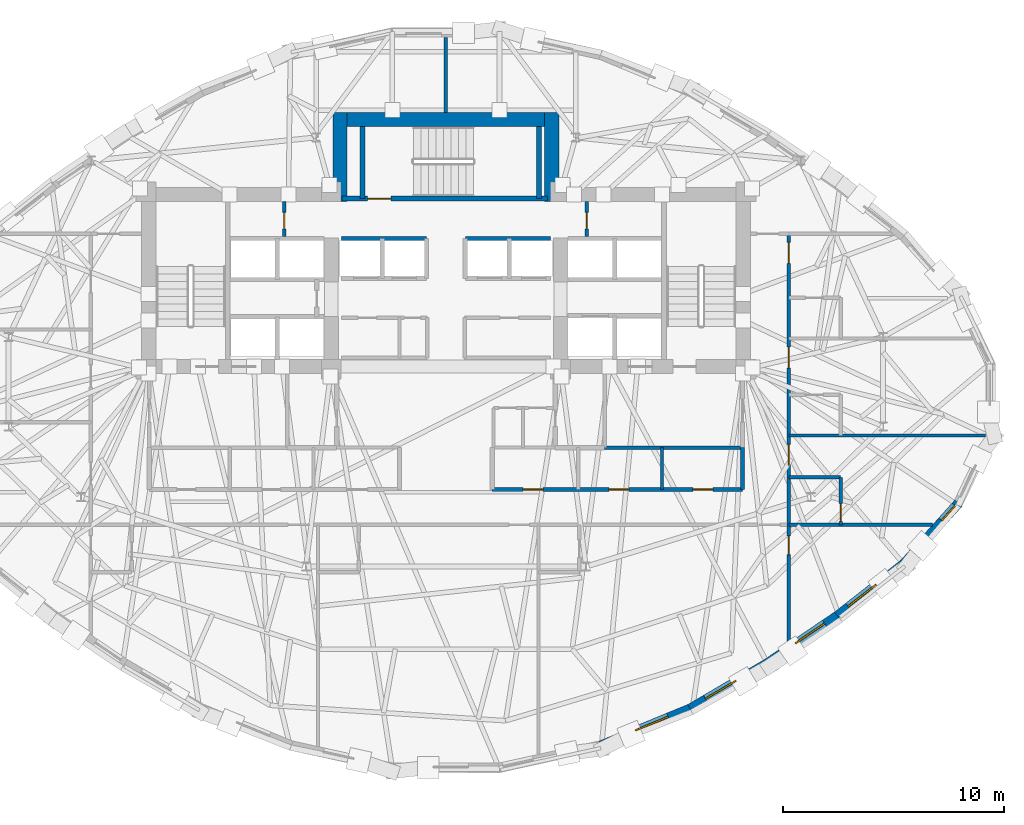
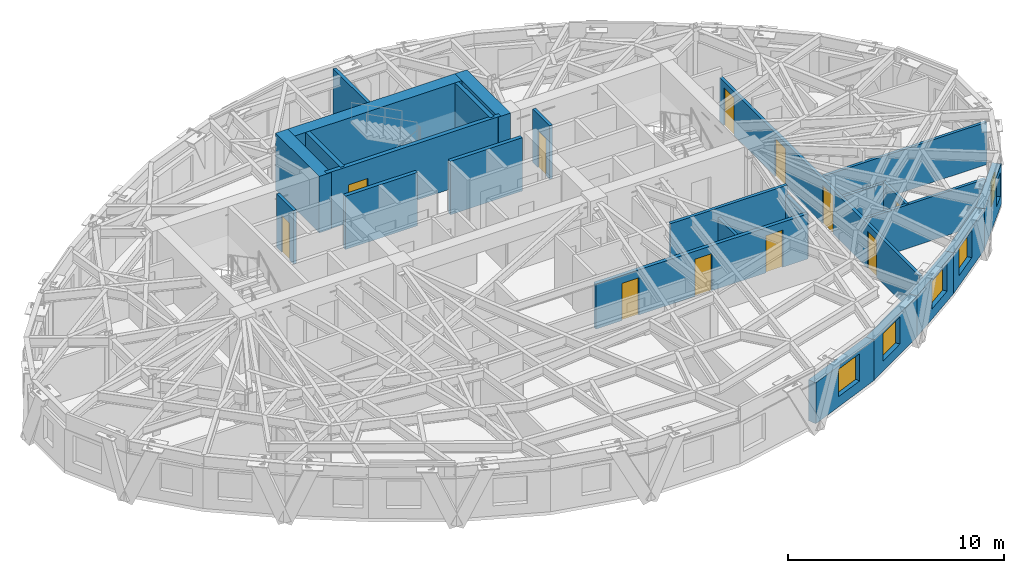
# One storey, part 8 of 14: 25 walls, 11 doors, 5 windows, 16 openings.
"""IFC4 building model written with IfcOpenShell, lengths in metres."""

import ifcopenshell
import ifcopenshell.guid

model = None  # the IFC model being written
_history = None  # IfcOwnerHistory: only IFC2X3 demands one
_inside = {}  # id of a spatial element -> (the spatial element, [elements in it])
_under = {}  # id of a project, library or spatial element -> (it, [spatial elements below it])
_declared = {}  # id of a project -> (the project, [libraries it declares])
_typed = {}  # id of a type object -> (the type object, [elements of that type])
_made_of = {}  # id of a material, layer set ... -> (it, [elements and type objects made of it])


def new_model(schema):
    """Start an empty IFC model of exactly this schema.

    Asked for "IFC4X3", IfcOpenShell would pick the latest addendum, in which some entities
    have other attributes; the version numbers below select the first issue.
    IFC2X3 requires an IfcOwnerHistory on every rooted entity: one is made here for all.
    """
    global model, _history
    if schema == "IFC4X3":
        model = ifcopenshell.file(schema_version=(4, 3, 0, 0))
    else:
        model = ifcopenshell.file(schema=schema)
    _inside.clear()
    _under.clear()
    _declared.clear()
    _typed.clear()
    _made_of.clear()
    _history = None
    if model.schema == "IFC2X3":
        org = make("IfcOrganization", Name="unknown")
        user = make(
            "IfcPersonAndOrganization",
            ThePerson=make("IfcPerson", FamilyName="unknown"),
            TheOrganization=org,
        )
        app = make(
            "IfcApplication",
            ApplicationDeveloper=org,
            Version="unknown",
            ApplicationFullName="unknown",
            ApplicationIdentifier="unknown",
        )
        _history = make(
            "IfcOwnerHistory",
            OwningUser=user,
            OwningApplication=app,
            ChangeAction="ADDED",
            CreationDate=0,
        )
    return model


def make(cls, **values):
    """One entity of the class cls with the attributes given. An attribute that is None is left unset."""
    return model.create_entity(
        cls, **{name: value for name, value in values.items() if value is not None}
    )


def rooted(cls, **values):
    """An entity with a GlobalId (a new one), such as an element, a storey or a relation."""
    return make(cls, GlobalId=ifcopenshell.guid.new(), OwnerHistory=_history, **values)


def si_unit(unit_type, name, prefix=None):
    """IfcSIUnit, for example si_unit("LENGTHUNIT", "METRE", prefix="MILLI")."""
    return make("IfcSIUnit", UnitType=unit_type, Prefix=prefix, Name=name)


def assignment(units):
    """IfcUnitAssignment: the units of a project."""
    return None if units is None else make("IfcUnitAssignment", Units=units)


def point(xyz):
    """IfcCartesianPoint."""
    return None if xyz is None else make("IfcCartesianPoint", Coordinates=xyz)


def direction(xyz):
    """IfcDirection."""
    return None if xyz is None else make("IfcDirection", DirectionRatios=xyz)


def frame(location, z_axis=None, x_axis=None):
    """IfcAxis2Placement3D, a coordinate frame: its origin and axes. An axis left out is left unset."""
    return make(
        "IfcAxis2Placement3D",
        Location=point(location),
        Axis=direction(z_axis),
        RefDirection=direction(x_axis),
    )


def frame_2d(location, x_axis=None):
    """IfcAxis2Placement2D, a coordinate frame in the plane: its origin and x axis."""
    return make(
        "IfcAxis2Placement2D", Location=point(location), RefDirection=direction(x_axis)
    )


def origin():
    """The frame at (0, 0, 0) with its axes left unset."""
    return frame((0.0, 0.0, 0.0))


def place(relative_to, where):
    """IfcLocalPlacement: puts the frame where relative to a parent placement (None: the world)."""
    return make(
        "IfcLocalPlacement", PlacementRelTo=relative_to, RelativePlacement=where
    )


def context(
    kind, dimensions, precision=None, world=None, true_north=None, identifier=None
):
    """IfcGeometricRepresentationContext, for example the 3D "Model" context."""
    return make(
        "IfcGeometricRepresentationContext",
        ContextIdentifier=identifier,
        ContextType=kind,
        CoordinateSpaceDimension=dimensions,
        Precision=precision,
        WorldCoordinateSystem=world,
        TrueNorth=true_north,
    )


def subcontext(parent, identifier, kind, view, scale=None):
    """IfcGeometricRepresentationSubContext, for example "Body" below "Model"."""
    return make(
        "IfcGeometricRepresentationSubContext",
        ContextIdentifier=identifier,
        ContextType=kind,
        ParentContext=parent,
        TargetScale=scale,
        TargetView=view,
    )


def project(units=None, contexts=None):
    """IfcProject with its units and contexts."""
    return rooted(
        "IfcProject",
        Name="project",
        RepresentationContexts=contexts,
        UnitsInContext=assignment(units),
    )


def spatial(cls, under=None, at=None, **own):
    """A site, building, storey or space (cls), placed at a placement, below another one or the project."""
    s = rooted(cls, ObjectPlacement=at, **own)
    if under is not None:
        _under.setdefault(under.id(), (under, []))[1].append(s)
    return s


def profile(cls, at=None, kind="AREA", **sizes):
    """A parametric profile (cls). Its sizes go by their IFC names, for example OverallWidth=200.0."""
    return make(cls, ProfileType=kind, Position=at, **sizes)


def rectangle(**sizes):
    """IfcRectangleProfileDef."""
    return profile("IfcRectangleProfileDef", **sizes)


def extrude(swept, where, along, depth):
    """IfcExtrudedAreaSolid: the profile swept, set in the frame where, extruded along a direction by depth."""
    return make(
        "IfcExtrudedAreaSolid",
        SweptArea=swept,
        Position=where,
        ExtrudedDirection=direction(along),
        Depth=depth,
    )


def shape(context_of_items, identifier, shape_type, items):
    """IfcShapeRepresentation: the items that make up one representation, for example the "Body"."""
    return make(
        "IfcShapeRepresentation",
        ContextOfItems=context_of_items,
        RepresentationIdentifier=identifier,
        RepresentationType=shape_type,
        Items=items,
    )


def material(Name=None, Category=None):
    """IfcMaterial."""
    return make("IfcMaterial", Name=Name, Category=Category)


def layer(
    of_material, thickness, ventilated=None, Name=None, Category=None, Priority=None
):
    """IfcMaterialLayer: one layer of a wall or slab, of a material (None: an air gap)."""
    return make(
        "IfcMaterialLayer",
        Material=of_material,
        LayerThickness=thickness,
        IsVentilated=ventilated,
        Name=Name,
        Category=Category,
        Priority=Priority,
    )


def layer_set(layers, Name=None):
    """IfcMaterialLayerSet."""
    return make("IfcMaterialLayerSet", MaterialLayers=layers, LayerSetName=Name)


def made_of(thing, what):
    """Note that an element or type object is made of a material, layer set ...; save() writes the relation."""
    if what is not None:
        _made_of.setdefault(what.id(), (what, []))[1].append(thing)
    return thing


def type_object(cls, material=None, **own):
    """A type object (cls), such as IfcWallType, which elements share."""
    return made_of(rooted(cls, **own), material)


def element(
    cls,
    number,
    at=None,
    inside=None,
    cuts=None,
    type_object=None,
    material=None,
    context=None,
    identifier="Body",
    shape_type=None,
    held_by="IfcProductDefinitionShape",
    body=None,
    shapes=None,
    **own,
):
    """One element of the class cls, such as IfcWall. Its Tag is "e" and its number.

    at: its placement. inside: the storey or other place that contains it. cuts: it is an
    opening in that element (IfcRelVoidsElement). A single representation is given by context,
    identifier, shape_type and body (its items); several are given by shapes. held_by: the class
    of the entity that holds the representations. save() writes the other relations.
    """
    e = rooted(cls, Tag="e%d" % number, ObjectPlacement=at, **own)
    if body is not None:
        shapes = [shape(context, identifier, shape_type, body)]
    if shapes is not None:
        e.Representation = make(held_by, Representations=shapes)
    if inside is not None:
        _inside.setdefault(inside.id(), (inside, []))[1].append(e)
    if cuts is not None:
        rooted(
            "IfcRelVoidsElement", RelatingBuildingElement=cuts, RelatedOpeningElement=e
        )
    if type_object is not None:
        _typed.setdefault(type_object.id(), (type_object, []))[1].append(e)
    return made_of(e, material)


def fill(opening, filler):
    """IfcRelFillsElement: the door or window that sits in an opening."""
    return rooted(
        "IfcRelFillsElement",
        RelatingOpeningElement=opening,
        RelatedBuildingElement=filler,
    )


def aggregate(whole, parts):
    """IfcRelAggregates: a whole, such as a stair, and the parts it consists of."""
    return rooted("IfcRelAggregates", RelatingObject=whole, RelatedObjects=parts)


def save(model, path):
    """Write the relations noted so far, then the file.

    IfcRelAggregates (storeys below a building ...), IfcRelContainedInSpatialStructure (elements
    in a storey), IfcRelDefinesByType, IfcRelAssociatesMaterial and IfcRelDeclares: one each for
    every whole, place, type object, material and project.
    """
    for whole, parts in _under.values():
        aggregate(whole, parts)
    for where, things in _inside.values():
        rooted(
            "IfcRelContainedInSpatialStructure",
            RelatedElements=things,
            RelatingStructure=where,
        )
    for kind, things in _typed.values():
        rooted("IfcRelDefinesByType", RelatedObjects=things, RelatingType=kind)
    for what, things in _made_of.values():
        rooted("IfcRelAssociatesMaterial", RelatedObjects=things, RelatingMaterial=what)
    for by, libraries in _declared.values():
        rooted("IfcRelDeclares", RelatingContext=by, RelatedDefinitions=libraries)
    model.write(path)


model = new_model("IFC4")

# Units and contexts
model_context = context("Model", 3, precision=1e-05, world=origin(), true_north=direction((0.0, 1.0)))
body_context = subcontext(model_context, "Body", "Model", "MODEL_VIEW")
ifc_project = project(units=[si_unit("LENGTHUNIT", "METRE"), si_unit("AREAUNIT", "SQUARE_METRE"), si_unit("VOLUMEUNIT", "CUBIC_METRE"), si_unit("PLANEANGLEUNIT", "RADIAN"), si_unit("MASSUNIT", "GRAM", prefix="KILO")], contexts=[model_context])

# Site, building, storey
site_placement = place(None, origin())
site = spatial("IfcSite", under=ifc_project, at=site_placement, CompositionType="ELEMENT")
building_placement = place(site_placement, origin())
building = spatial("IfcBuilding", under=site, at=building_placement, Name="Keldmark Tower", CompositionType="ELEMENT")
storey_placement = place(building_placement, frame((0.0, 0.0, 185.39990234375)))
storey = spatial("IfcBuildingStorey", under=building, at=storey_placement, Name="L51", CompositionType="ELEMENT", Elevation=185.39990234375)

# Wall, openings, doors
ifc_material_1 = material(Name="Heavy Acoustic Plumbing Chase Gypsum Assembly", Category="gypsum")
ifc_layer_1 = layer(ifc_material_1, 0.18994140625)
ifc_layer_set_1 = layer_set([ifc_layer_1], Name="Heavy Acoustic Plumbing Chase Gypsum Assembly")
wall_type_1 = type_object("IfcWallType", Name="Heavy Wet Wall 190 mm", PredefinedType="PLUMBINGWALL", material=ifc_layer_set_1)
wall_1_placement = place(storey_placement, frame((2.10009765625, -4.050048828125, 0.0), z_axis=(0.0, 0.0, 1.0), x_axis=(1.0, 0.0, 0.0)))
wall_1 = element("IfcWall", 1, at=wall_1_placement, inside=storey, type_object=wall_type_1, Name="L51 Heavy Wet Wall 190 mm SPK-E-S", PredefinedType="PLUMBINGWALL", context=body_context, shape_type="SweptSolid", body=[
    extrude(rectangle(XDim=11.349853515625, YDim=0.18994140625, at=frame_2d((5.6748046875, 0.0))), origin(), (0.0, 0.0, 1.0), 2.55517578125),
])
opening_1_placement = place(wall_1_placement, frame((1.39990234375, 0.0, 0.0)))
opening_1 = element("IfcOpeningElement", 2, at=opening_1_placement, cuts=wall_1, Name="Opening D-IN090", PredefinedType="OPENING", context=body_context, shape_type="SweptSolid", body=[
    extrude(rectangle(XDim=0.89990234375, YDim=2.10009765625, at=frame_2d((0.449951171875, 1.050048828125))), frame((0.0, 0.10498046875, 0.0), z_axis=(0.0, -1.0, 0.0), x_axis=(1.0, 0.0, 0.0)), (0.0, 0.0, 1.0), 0.2099609375),
])
opening_2_placement = place(wall_1_placement, frame((5.300048828125, 0.0, 0.0)))
opening_2 = element("IfcOpeningElement", 3, at=opening_2_placement, cuts=wall_1, Name="Opening D-IN090", PredefinedType="OPENING", context=body_context, shape_type="SweptSolid", body=[
    extrude(rectangle(XDim=0.89990234375, YDim=2.10009765625, at=frame_2d((0.449951171875, 1.050048828125))), frame((0.0, 0.10498046875, 0.0), z_axis=(0.0, -1.0, 0.0), x_axis=(1.0, 0.0, 0.0)), (0.0, 0.0, 1.0), 0.2099609375),
])
opening_3_placement = place(wall_1_placement, frame((9.10009765625, 0.0, 0.0)))
opening_3 = element("IfcOpeningElement", 4, at=opening_3_placement, cuts=wall_1, Name="Opening D-IN090", PredefinedType="OPENING", context=body_context, shape_type="SweptSolid", body=[
    extrude(rectangle(XDim=0.89990234375, YDim=2.10009765625, at=frame_2d((0.449951171875, 1.050048828125))), frame((0.0, 0.10498046875, 0.0), z_axis=(0.0, -1.0, 0.0), x_axis=(1.0, 0.0, 0.0)), (0.0, 0.0, 1.0), 0.2099609375),
])
ifc_material_2 = material(Name="Stained American White Oak Veneer", Category="wood")
door_type_1 = type_object("IfcDoorType", Name="Interior Door 900x2100", OperationType="NOTDEFINED", PredefinedType="DOOR", material=ifc_material_2)
door_1_placement = place(opening_1_placement, origin())
door_1 = element("IfcDoor", 5, at=door_1_placement, inside=storey, type_object=door_type_1, Name="L51 Interior Door 900x2100 D-SPKE1-L51", OperationType="SINGLE_SWING_RIGHT", OverallHeight=2.10009765625, OverallWidth=0.89990234375, PredefinedType="DOOR", context=body_context, shape_type="SweptSolid", body=[
    extrude(rectangle(XDim=0.89990234375, YDim=2.10009765625, at=frame_2d((0.449951171875, 1.050048828125))), frame((0.0, 0.02490234375, 0.0), z_axis=(0.0, -1.0, 0.0), x_axis=(1.0, 0.0, 0.0)), (0.0, 0.0, 1.0), 0.050048828125),
])
fill(opening_1, door_1)
door_2_placement = place(opening_2_placement, origin())
door_2 = element("IfcDoor", 6, at=door_2_placement, inside=storey, type_object=door_type_1, Name="L51 Interior Door 900x2100 D-SPKE2-L51", OperationType="SINGLE_SWING_LEFT", OverallHeight=2.10009765625, OverallWidth=0.89990234375, PredefinedType="DOOR", context=body_context, shape_type="SweptSolid", body=[
    extrude(rectangle(XDim=0.89990234375, YDim=2.10009765625, at=frame_2d((0.449951171875, 1.050048828125))), frame((0.0, 0.02490234375, 0.0), z_axis=(0.0, -1.0, 0.0), x_axis=(1.0, 0.0, 0.0)), (0.0, 0.0, 1.0), 0.050048828125),
])
fill(opening_2, door_2)
door_3_placement = place(opening_3_placement, origin())
door_3 = element("IfcDoor", 7, at=door_3_placement, inside=storey, type_object=door_type_1, Name="L51 Interior Door 900x2100 D-SPKE3-L51", OperationType="SINGLE_SWING_RIGHT", OverallHeight=2.10009765625, OverallWidth=0.89990234375, PredefinedType="DOOR", context=body_context, shape_type="SweptSolid", body=[
    extrude(rectangle(XDim=0.89990234375, YDim=2.10009765625, at=frame_2d((0.449951171875, 1.050048828125))), frame((0.0, 0.02490234375, 0.0), z_axis=(0.0, -1.0, 0.0), x_axis=(1.0, 0.0, 0.0)), (0.0, 0.0, 1.0), 0.050048828125),
])
fill(opening_3, door_3)

# Walls
wall_2_placement = place(storey_placement, frame((13.449951171875, -4.050048828125, 0.0), z_axis=(0.0, 0.0, 1.0), x_axis=(0.0, 1.0, 0.0)))
element("IfcWall", 8, at=wall_2_placement, inside=storey, type_object=wall_type_1, Name="L51 Heavy Wet Wall 190 mm SPK-E-E", PredefinedType="PLUMBINGWALL", context=body_context, shape_type="SweptSolid", body=[
    extrude(rectangle(XDim=1.900146484375, YDim=0.18994140625, at=frame_2d((0.9501953125, 0.0))), origin(), (0.0, 0.0, 1.0), 2.47314453125),
])
ifc_material_3 = material(Name="Type X Fire-Rated Gypsum Partition Assembly", Category="gypsum")
ifc_layer_2 = layer(ifc_material_3, 0.1650390625)
ifc_layer_set_2 = layer_set([ifc_layer_2], Name="Type X Fire-Rated Gypsum Partition Assembly")
wall_type_2 = type_object("IfcWallType", Name="Rated Partition 165 mm", PredefinedType="PARTITIONING", material=ifc_layer_set_2)
wall_3_placement = place(storey_placement, frame((7.199951171875, -2.14990234375, 0.0), z_axis=(0.0, 0.0, 1.0), x_axis=(1.0, 0.0, 0.0)))
element("IfcWall", 9, at=wall_3_placement, inside=storey, type_object=wall_type_2, Name="L51 Rated Partition 165 mm FSAE-E-S", PredefinedType="PARTITIONING", context=body_context, shape_type="SweptSolid", body=[
    extrude(rectangle(XDim=6.25, YDim=0.1650390625, at=frame_2d((3.125, 0.0))), origin(), (0.0, 0.0, 1.0), 3.02001953125),
])

# Wall, opening, door
wall_4_placement = place(storey_placement, frame((-7.330078125, 7.419921875, 0.0), z_axis=(0.0, 0.0, 1.0), x_axis=(0.0, 1.0, 0.0)))
wall_4 = element("IfcWall", 10, at=wall_4_placement, inside=storey, type_object=wall_type_2, Name="L51 Rated Partition 165 mm CS-NW-E", PredefinedType="PARTITIONING", context=body_context, shape_type="SweptSolid", body=[
    extrude(rectangle(XDim=1.580078125, YDim=0.1650390625, at=frame_2d((0.7900390625, 0.0))), origin(), (0.0, 0.0, 1.0), 3.02001953125),
])
opening_4_placement = place(wall_4_placement, frame((0.35009765625, 0.0, 0.0)))
opening_4 = element("IfcOpeningElement", 11, at=opening_4_placement, cuts=wall_4, Name="Opening D-RS075", PredefinedType="OPENING", context=body_context, shape_type="SweptSolid", body=[
    extrude(rectangle(XDim=0.75, YDim=2.10009765625, at=frame_2d((0.375, 1.050048828125))), frame((0.0, 0.092529296875, 0.0), z_axis=(0.0, -1.0, 0.0), x_axis=(1.0, 0.0, 0.0)), (0.0, 0.0, 1.0), 0.18505859375),
])
ifc_material_4 = material(Name="Galvanized Fire-Rated Access Leaf", Category="metal")
door_type_2 = type_object("IfcDoorType", Name="Riser Access Door 750x2100", OperationType="NOTDEFINED", PredefinedType="DOOR", material=ifc_material_4)
door_4_placement = place(opening_4_placement, origin())
door_4 = element("IfcDoor", 12, at=door_4_placement, inside=storey, type_object=door_type_2, Name="L51 Riser Access Door 750x2100 D-CSNW1-L51", OperationType="SINGLE_SWING_RIGHT", OverallHeight=2.10009765625, OverallWidth=0.75, PredefinedType="DOOR", context=body_context, shape_type="SweptSolid", body=[
    extrude(rectangle(XDim=0.75, YDim=2.10009765625, at=frame_2d((0.375, 1.050048828125))), frame((0.0, 0.02490234375, 0.0), z_axis=(0.0, -1.0, 0.0), x_axis=(1.0, 0.0, 0.0)), (0.0, 0.0, 1.0), 0.050048828125),
])
fill(opening_4, door_4)

wall_5_placement = place(storey_placement, frame((6.3798828125, 7.419921875, 0.0), z_axis=(0.0, 0.0, 1.0), x_axis=(0.0, 1.0, 0.0)))
wall_5 = element("IfcWall", 13, at=wall_5_placement, inside=storey, type_object=wall_type_2, Name="L51 Rated Partition 165 mm CS-NE-W", PredefinedType="PARTITIONING", context=body_context, shape_type="SweptSolid", body=[
    extrude(rectangle(XDim=1.580078125, YDim=0.1650390625, at=frame_2d((0.7900390625, 0.0))), origin(), (0.0, 0.0, 1.0), 3.02001953125),
])
opening_5_placement = place(wall_5_placement, frame((0.35009765625, 0.0, 0.0)))
opening_5 = element("IfcOpeningElement", 14, at=opening_5_placement, cuts=wall_5, Name="Opening D-RS075", PredefinedType="OPENING", context=body_context, shape_type="SweptSolid", body=[
    extrude(rectangle(XDim=0.75, YDim=2.10009765625, at=frame_2d((0.375, 1.050048828125))), frame((0.0, 0.092529296875, 0.0), z_axis=(0.0, -1.0, 0.0), x_axis=(1.0, 0.0, 0.0)), (0.0, 0.0, 1.0), 0.18505859375),
])
door_5_placement = place(opening_5_placement, origin())
door_5 = element("IfcDoor", 15, at=door_5_placement, inside=storey, type_object=door_type_2, Name="L51 Riser Access Door 750x2100 D-CSNE1-L51", OperationType="SINGLE_SWING_LEFT", OverallHeight=2.10009765625, OverallWidth=0.75, PredefinedType="DOOR", context=body_context, shape_type="SweptSolid", body=[
    extrude(rectangle(XDim=0.75, YDim=2.10009765625, at=frame_2d((0.375, 1.050048828125))), frame((0.0, 0.02490234375, 0.0), z_axis=(0.0, -1.0, 0.0), x_axis=(1.0, 0.0, 0.0)), (0.0, 0.0, 1.0), 0.050048828125),
])
fill(opening_5, door_5)

# Wall, openings, doors
wall_6_placement = place(storey_placement, frame((15.550048828125, -11.0, 0.0), z_axis=(0.0, 0.0, 1.0), x_axis=(0.0, 1.0, 0.0)))
wall_6 = element("IfcWall", 16, at=wall_6_placement, inside=storey, type_object=wall_type_2, Name="L51 Rated Partition 165 mm HCOR-E", PredefinedType="PARTITIONING", context=body_context, shape_type="SweptSolid", body=[
    extrude(rectangle(XDim=18.550048828125, YDim=0.1650390625, at=frame_2d((9.27490234375, 0.0))), origin(), (0.0, 0.0, 1.0), 2.47314453125),
])
opening_6_placement = place(wall_6_placement, frame((3.99951171875, 0.0, 0.0)))
opening_6 = element("IfcOpeningElement", 17, at=opening_6_placement, cuts=wall_6, Name="Opening D-IN085", PredefinedType="OPENING", context=body_context, shape_type="SweptSolid", body=[
    extrude(rectangle(XDim=0.85009765625, YDim=2.10009765625, at=frame_2d((0.425048828125, 1.050048828125))), frame((0.0, 0.092529296875, 0.0), z_axis=(0.0, -1.0, 0.0), x_axis=(1.0, 0.0, 0.0)), (0.0, 0.0, 1.0), 0.18505859375),
])
opening_7_placement = place(wall_6_placement, frame((8.049560546875, 0.0, 0.0)))
opening_7 = element("IfcOpeningElement", 18, at=opening_7_placement, cuts=wall_6, Name="Opening D-HT095", PredefinedType="OPENING", context=body_context, shape_type="SweptSolid", body=[
    extrude(rectangle(XDim=0.949951171875, YDim=2.14990234375, at=frame_2d((0.47509765625, 1.074951171875))), frame((0.0, 0.092529296875, 0.0), z_axis=(0.0, -1.0, 0.0), x_axis=(1.0, 0.0, 0.0)), (0.0, 0.0, 1.0), 0.18505859375),
])
opening_8_placement = place(wall_6_placement, frame((12.44970703125, 0.0, 0.0)))
opening_8 = element("IfcOpeningElement", 19, at=opening_8_placement, cuts=wall_6, Name="Opening D-HT095", PredefinedType="OPENING", context=body_context, shape_type="SweptSolid", body=[
    extrude(rectangle(XDim=0.949951171875, YDim=2.14990234375, at=frame_2d((0.47509765625, 1.074951171875))), frame((0.0, 0.092529296875, 0.0), z_axis=(0.0, -1.0, 0.0), x_axis=(1.0, 0.0, 0.0)), (0.0, 0.0, 1.0), 0.18505859375),
])
opening_9_placement = place(wall_6_placement, frame((17.19970703125, 0.0, 0.0)))
opening_9 = element("IfcOpeningElement", 20, at=opening_9_placement, cuts=wall_6, Name="Opening D-HT095", PredefinedType="OPENING", context=body_context, shape_type="SweptSolid", body=[
    extrude(rectangle(XDim=0.949951171875, YDim=2.14990234375, at=frame_2d((0.47509765625, 1.074951171875))), frame((0.0, 0.092529296875, 0.0), z_axis=(0.0, -1.0, 0.0), x_axis=(1.0, 0.0, 0.0)), (0.0, 0.0, 1.0), 0.18505859375),
])
ifc_material_5 = material(Name="Solid-Core Acoustic White Oak Fire-Rated Assembly", Category="wood")
door_type_3 = type_object("IfcDoorType", Name="Hotel Entry Door 950x2150", OperationType="NOTDEFINED", PredefinedType="DOOR", material=ifc_material_5)
door_6_placement = place(opening_7_placement, origin())
door_6 = element("IfcDoor", 21, at=door_6_placement, inside=storey, type_object=door_type_3, Name="L51 Hotel Entry Door 950x2150 D-HR-4-L51", OperationType="SINGLE_SWING_LEFT", OverallHeight=2.14990234375, OverallWidth=0.949951171875, PredefinedType="DOOR", context=body_context, shape_type="SweptSolid", body=[
    extrude(rectangle(XDim=0.949951171875, YDim=2.14990234375, at=frame_2d((0.47509765625, 1.074951171875))), frame((0.0, 0.02490234375, 0.0), z_axis=(0.0, -1.0, 0.0), x_axis=(1.0, 0.0, 0.0)), (0.0, 0.0, 1.0), 0.050048828125),
])
fill(opening_7, door_6)
door_7_placement = place(opening_8_placement, origin())
door_7 = element("IfcDoor", 22, at=door_7_placement, inside=storey, type_object=door_type_3, Name="L51 Hotel Entry Door 950x2150 D-HR-5-L51", OperationType="SINGLE_SWING_LEFT", OverallHeight=2.14990234375, OverallWidth=0.949951171875, PredefinedType="DOOR", context=body_context, shape_type="SweptSolid", body=[
    extrude(rectangle(XDim=0.949951171875, YDim=2.14990234375, at=frame_2d((0.47509765625, 1.074951171875))), frame((0.0, 0.02490234375, 0.0), z_axis=(0.0, -1.0, 0.0), x_axis=(1.0, 0.0, 0.0)), (0.0, 0.0, 1.0), 0.050048828125),
])
fill(opening_8, door_7)
door_8_placement = place(opening_9_placement, origin())
door_8 = element("IfcDoor", 23, at=door_8_placement, inside=storey, type_object=door_type_3, Name="L51 Hotel Entry Door 950x2150 D-HR-6-L51", OperationType="SINGLE_SWING_LEFT", OverallHeight=2.14990234375, OverallWidth=0.949951171875, PredefinedType="DOOR", context=body_context, shape_type="SweptSolid", body=[
    extrude(rectangle(XDim=0.949951171875, YDim=2.14990234375, at=frame_2d((0.47509765625, 1.074951171875))), frame((0.0, 0.02490234375, 0.0), z_axis=(0.0, -1.0, 0.0), x_axis=(1.0, 0.0, 0.0)), (0.0, 0.0, 1.0), 0.050048828125),
])
fill(opening_9, door_8)
ifc_material_6 = material(Name="Painted Architectural Wood", Category="wood")
door_type_4 = type_object("IfcDoorType", Name="Interior Door 850x2100", OperationType="NOTDEFINED", PredefinedType="DOOR", material=ifc_material_6)
door_9_placement = place(opening_6_placement, origin())
door_9 = element("IfcDoor", 24, at=door_9_placement, inside=storey, type_object=door_type_4, Name="L51 Interior Door 850x2100 D-HKSE-L51", OperationType="SINGLE_SWING_RIGHT", OverallHeight=2.10009765625, OverallWidth=0.85009765625, PredefinedType="DOOR", context=body_context, shape_type="SweptSolid", body=[
    extrude(rectangle(XDim=0.85009765625, YDim=2.10009765625, at=frame_2d((0.425048828125, 1.050048828125))), frame((0.0, 0.02490234375, 0.0), z_axis=(0.0, -1.0, 0.0), x_axis=(1.0, 0.0, 0.0)), (0.0, 0.0, 1.0), 0.050048828125),
])
fill(opening_6, door_9)

# Walls
wall_7_placement = place(storey_placement, frame((0.0, 13.050048828125, 0.0), z_axis=(0.0, 0.0, 1.0), x_axis=(0.0, 1.0, 0.0)))
element("IfcWall", 25, at=wall_7_placement, inside=storey, type_object=wall_type_2, Name="L51 Rated Partition 165 mm HN-DIV", PredefinedType="PARTITIONING", context=body_context, shape_type="SweptSolid", body=[
    extrude(rectangle(XDim=3.39794921875, YDim=0.1650390625, at=frame_2d((1.698974609375, 0.0))), origin(), (0.0, 0.0, 1.0), 3.02001953125),
])
ifc_material_7 = material(Name="Fire-Resistant Type X Gypsum Shaftliner Coreboard", Category="gypsum")
ifc_layer_3 = layer(ifc_material_7, 0.199951171875)
ifc_layer_set_3 = layer_set([ifc_layer_3], Name="Fire-Resistant Type X Gypsum Shaftliner Coreboard")
wall_type_3 = type_object("IfcWallType", Name="Shaft Wall 200 mm", PredefinedType="SOLIDWALL", material=ifc_layer_set_3)
for number, where, z_axis, x_axis, name in (
    (26, (-4.739990234375, 7.330078125, 0.0), (0.0, 0.0, 1.0), (1.0, 0.0, 0.0), "L51 Shaft Wall 200 mm MID-N-W"),
    (27, (0.8798828125, 7.330078125, 0.0), (0.0, 0.0, 1.0), (1.0, 0.0, 0.0), "L51 Shaft Wall 200 mm MID-N-E"),
):
    element("IfcWall", number, at=place(storey_placement, frame(where, z_axis=z_axis, x_axis=x_axis)), inside=storey, type_object=wall_type_3, Name=name, PredefinedType="SOLIDWALL", context=body_context, shape_type="SweptSolid", body=[
        extrude(rectangle(XDim=3.860107421875, YDim=0.199951171875, at=frame_2d((1.93017578125, 0.0))), origin(), (0.0, 0.0, 1.0), 3.02001953125),
    ])

# Wall, opening, door
ifc_material_8 = material(Name="Concrete C50/60", Category="concrete")
ifc_layer_4 = layer(ifc_material_8, 0.219970703125)
ifc_layer_set_4 = layer_set([ifc_layer_4], Name="Concrete C50/60")
wall_type_4 = type_object("IfcWallType", Name="Stair Core Shear Wall 220 mm", PredefinedType="SHEAR", material=ifc_layer_set_4)
wall_8_placement = place(storey_placement, frame((-4.699951171875, 9.139892578125, 0.0), z_axis=(0.0, 0.0, 1.0), x_axis=(1.0, 0.0, 0.0)))
wall_8 = element("IfcWall", 28, at=wall_8_placement, inside=storey, type_object=wall_type_4, Name="L51 Central Stair Core South Shear Wall", PredefinedType="SHEAR", context=body_context, shape_type="SweptSolid", body=[
    extrude(rectangle(XDim=9.300048828125, YDim=0.219970703125, at=frame_2d((4.64990234375, 0.0))), origin(), (0.0, 0.0, 1.0), 3.2001953125),
])
opening_10_placement = place(wall_8_placement, frame((1.14990234375, 0.0, 0.0)))
opening_10 = element("IfcOpeningElement", 29, at=opening_10_placement, cuts=wall_8, Name="Opening D-ST105", PredefinedType="OPENING", context=body_context, shape_type="SweptSolid", body=[
    extrude(rectangle(XDim=1.050048828125, YDim=2.14990234375, at=frame_2d((0.52490234375, 1.074951171875))), frame((0.0, 0.119873046875, 0.0), z_axis=(0.0, -1.0, 0.0), x_axis=(1.0, 0.0, 0.0)), (0.0, 0.0, 1.0), 0.239990234375),
])
ifc_material_9 = material(Name="Hollow Metal Fire-Rated Door Assembly", Category="metal")
door_type_5 = type_object("IfcDoorType", Name="Stair Fire Door 1050x2150", OperationType="NOTDEFINED", PredefinedType="DOOR", material=ifc_material_9)
door_10_placement = place(opening_10_placement, origin())
door_10 = element("IfcDoor", 30, at=door_10_placement, inside=storey, type_object=door_type_5, Name="L51 Stair Fire Door 1050x2150 D-ST3-L51", OperationType="SINGLE_SWING_RIGHT", OverallHeight=2.14990234375, OverallWidth=1.050048828125, PredefinedType="DOOR", context=body_context, shape_type="SweptSolid", body=[
    extrude(rectangle(XDim=1.050048828125, YDim=2.14990234375, at=frame_2d((0.52490234375, 1.074951171875))), frame((0.0, 0.02490234375, 0.0), z_axis=(0.0, -1.0, 0.0), x_axis=(1.0, 0.0, 0.0)), (0.0, 0.0, 1.0), 0.050048828125),
])
fill(opening_10, door_10)

# Walls
for number, where, z_axis, x_axis, name in (
    (31, (-3.784912109375, 9.139892578125, 0.0), (0.0, 0.0, 1.0), (0.0, 1.0, 0.0), "L51 Central Stair Core West Shear Wall"),
    (32, (4.215087890625, 9.139892578125, 0.0), (0.0, 0.0, 1.0), (0.0, 1.0, 0.0), "L51 Central Stair Core East Shear Wall"),
):
    element("IfcWall", number, at=place(storey_placement, frame(where, z_axis=z_axis, x_axis=x_axis)), inside=storey, type_object=wall_type_4, Name=name, PredefinedType="SHEAR", context=body_context, shape_type="SweptSolid", body=[
        extrude(rectangle(XDim=3.260009765625, YDim=0.219970703125, at=frame_2d((1.6298828125, 0.0))), origin(), (0.0, 0.0, 1.0), 3.2001953125),
    ])

# Wall, opening, window
ifc_material_10 = material(Name="Ironspot Manganese Brick and Kasota Buff Limestone Spandrel Assembly", Category="masonry")
ifc_layer_5 = layer(ifc_material_10, 0.43994140625)
ifc_layer_set_5 = layer_set([ifc_layer_5], Name="Ironspot Manganese Brick and Kasota Buff Limestone Spandrel Assembly")
wall_type_5 = type_object("IfcWallType", Name="Tower Brick Pier and Spandrel Wall 440 mm", PredefinedType="STANDARD", material=ifc_layer_set_5)
wall_9_placement = place(storey_placement, frame((11.099609375, -13.98095703125, 0.0), z_axis=(0.0, 0.0, 1.0), x_axis=(-0.924224109839, -0.381850487486, 0.0)))
wall_9 = element("IfcWall", 33, at=wall_9_placement, inside=storey, type_object=wall_type_5, Name="L51 Exterior Brick and Spandrel Wall 26", PredefinedType="STANDARD", context=body_context, shape_type="SweptSolid", body=[
    extrude(rectangle(XDim=4.416748046875, YDim=0.43994140625, at=frame_2d((2.20849609375, 0.0))), origin(), (0.0, 0.0, 1.0), 2.315185546875),
])
opening_11_placement = place(wall_9_placement, frame((1.087646484375, 0.0, 0.580078125)))
opening_11 = element("IfcOpeningElement", 34, at=opening_11_placement, cuts=wall_9, Name="Opening W-04", PredefinedType="OPENING", context=body_context, shape_type="SweptSolid", body=[
    extrude(rectangle(XDim=1.60009765625, YDim=1.550048828125, at=frame_2d((0.800048828125, 0.77490234375))), frame((0.0, 0.22998046875, 0.0), z_axis=(0.0, -1.0, 0.0), x_axis=(1.0, 0.0, 0.0)), (0.0, 0.0, 1.0), 0.4599609375),
])
ifc_material_11 = material(Name="Thermally Broken Anodized Aluminum and Triple Low-E Argon Glazing", Category="aluminium")
window_type_1 = type_object("IfcWindowType", Name="Hotel Deep-Set Operable Window 1600x1550", PartitioningType="DOUBLE_PANEL_HORIZONTAL", PredefinedType="WINDOW", material=ifc_material_11)
window_1_placement = place(opening_11_placement, origin())
window_1 = element("IfcWindow", 35, at=window_1_placement, inside=storey, type_object=window_type_1, Name="L51 Deep-Set Window 26", OverallHeight=1.550048828125, OverallWidth=1.60009765625, PartitioningType="SINGLE_PANEL", PredefinedType="WINDOW", context=body_context, shape_type="SweptSolid", body=[
    extrude(rectangle(XDim=1.60009765625, YDim=1.550048828125, at=frame_2d((0.800048828125, 0.77490234375))), frame((0.0, -0.010009765625, 0.0), z_axis=(0.0, -1.0, 0.0), x_axis=(1.0, 0.0, 0.0)), (0.0, 0.0, 1.0), 0.06005859375),
])
fill(opening_11, window_1)

wall_10_placement = place(storey_placement, frame((14.571533203125, -11.939208984375, 0.0), z_axis=(0.0, 0.0, 1.0), x_axis=(-0.862269598443, -0.506449542995, 0.0)))
wall_10 = element("IfcWall", 36, at=wall_10_placement, inside=storey, type_object=wall_type_5, Name="L51 Exterior Brick and Spandrel Wall 27", PredefinedType="STANDARD", context=body_context, shape_type="SweptSolid", body=[
    extrude(rectangle(XDim=4.05859375, YDim=0.43994140625, at=frame_2d((2.029296875, 0.0))), origin(), (0.0, 0.0, 1.0), 2.315185546875),
])
opening_12_placement = place(wall_10_placement, frame((1.621337890625, 0.0, 0.580078125)))
opening_12 = element("IfcOpeningElement", 37, at=opening_12_placement, cuts=wall_10, Name="Opening W-04", PredefinedType="OPENING", context=body_context, shape_type="SweptSolid", body=[
    extrude(rectangle(XDim=1.60009765625, YDim=1.550048828125, at=frame_2d((0.800048828125, 0.77490234375))), frame((0.0, 0.22998046875, 0.0), z_axis=(0.0, -1.0, 0.0), x_axis=(1.0, 0.0, 0.0)), (0.0, 0.0, 1.0), 0.4599609375),
])
window_2_placement = place(opening_12_placement, origin())
window_2 = element("IfcWindow", 38, at=window_2_placement, inside=storey, type_object=window_type_1, Name="L51 Deep-Set Window 27", OverallHeight=1.550048828125, OverallWidth=1.60009765625, PartitioningType="SINGLE_PANEL", PredefinedType="WINDOW", context=body_context, shape_type="SweptSolid", body=[
    extrude(rectangle(XDim=1.60009765625, YDim=1.550048828125, at=frame_2d((0.800048828125, 0.77490234375))), frame((0.0, -0.010009765625, 0.0), z_axis=(0.0, -1.0, 0.0), x_axis=(1.0, 0.0, 0.0)), (0.0, 0.0, 1.0), 0.06005859375),
])
fill(opening_12, window_2)

wall_11_placement = place(storey_placement, frame((17.767822265625, -9.77197265625, 0.0), z_axis=(0.0, 0.0, 1.0), x_axis=(-0.82774221662, -0.561108565988, 0.0)))
wall_11 = element("IfcWall", 39, at=wall_11_placement, inside=storey, type_object=wall_type_5, Name="L51 Exterior Brick and Spandrel Wall 28", PredefinedType="STANDARD", context=body_context, shape_type="SweptSolid", body=[
    extrude(rectangle(XDim=3.8759765625, YDim=0.43994140625, at=frame_2d((1.93798828125, 0.0))), origin(), (0.0, 0.0, 1.0), 2.315185546875),
])
opening_13_placement = place(wall_11_placement, frame((0.693603515625, 0.0, 0.580078125)))
opening_13 = element("IfcOpeningElement", 40, at=opening_13_placement, cuts=wall_11, Name="Opening W-04", PredefinedType="OPENING", context=body_context, shape_type="SweptSolid", body=[
    extrude(rectangle(XDim=1.60009765625, YDim=1.550048828125, at=frame_2d((0.800048828125, 0.77490234375))), frame((0.0, 0.22998046875, 0.0), z_axis=(0.0, -1.0, 0.0), x_axis=(1.0, 0.0, 0.0)), (0.0, 0.0, 1.0), 0.4599609375),
])
window_3_placement = place(opening_13_placement, origin())
window_3 = element("IfcWindow", 41, at=window_3_placement, inside=storey, type_object=window_type_1, Name="L51 Deep-Set Window 28", OverallHeight=1.550048828125, OverallWidth=1.60009765625, PartitioningType="SINGLE_PANEL", PredefinedType="WINDOW", context=body_context, shape_type="SweptSolid", body=[
    extrude(rectangle(XDim=1.60009765625, YDim=1.550048828125, at=frame_2d((0.800048828125, 0.77490234375))), frame((0.0, -0.010009765625, 0.0), z_axis=(0.0, -1.0, 0.0), x_axis=(1.0, 0.0, 0.0)), (0.0, 0.0, 1.0), 0.06005859375),
])
fill(opening_13, window_3)

wall_12_placement = place(storey_placement, frame((20.787353515625, -7.408203125, 0.0), z_axis=(0.0, 0.0, 1.0), x_axis=(-0.787518383176, -0.616291161838, 0.0)))
wall_12 = element("IfcWall", 42, at=wall_12_placement, inside=storey, type_object=wall_type_5, Name="L51 Exterior Brick and Spandrel Wall 29", PredefinedType="STANDARD", context=body_context, shape_type="SweptSolid", body=[
    extrude(rectangle(XDim=3.849853515625, YDim=0.43994140625, at=frame_2d((1.9248046875, 0.0))), origin(), (0.0, 0.0, 1.0), 2.315185546875),
])
opening_14_placement = place(wall_12_placement, frame((1.599609375, 0.0, 0.580078125)))
opening_14 = element("IfcOpeningElement", 43, at=opening_14_placement, cuts=wall_12, Name="Opening W-04", PredefinedType="OPENING", context=body_context, shape_type="SweptSolid", body=[
    extrude(rectangle(XDim=1.60009765625, YDim=1.550048828125, at=frame_2d((0.800048828125, 0.77490234375))), frame((0.0, 0.22998046875, 0.0), z_axis=(0.0, -1.0, 0.0), x_axis=(1.0, 0.0, 0.0)), (0.0, 0.0, 1.0), 0.4599609375),
])
window_4_placement = place(opening_14_placement, origin())
window_4 = element("IfcWindow", 44, at=window_4_placement, inside=storey, type_object=window_type_1, Name="L51 Deep-Set Window 29", OverallHeight=1.550048828125, OverallWidth=1.60009765625, PartitioningType="SINGLE_PANEL", PredefinedType="WINDOW", context=body_context, shape_type="SweptSolid", body=[
    extrude(rectangle(XDim=1.60009765625, YDim=1.550048828125, at=frame_2d((0.800048828125, 0.77490234375))), frame((0.0, -0.010009765625, 0.0), z_axis=(0.0, -1.0, 0.0), x_axis=(1.0, 0.0, 0.0)), (0.0, 0.0, 1.0), 0.06005859375),
])
fill(opening_14, window_4)

wall_13_placement = place(storey_placement, frame((23.2470703125, -4.667236328125, 0.0), z_axis=(0.0, 0.0, 1.0), x_axis=(-0.668547778607, -0.743669192396, 0.0)))
wall_13 = element("IfcWall", 45, at=wall_13_placement, inside=storey, type_object=wall_type_5, Name="L51 Exterior Brick and Spandrel Wall 30", PredefinedType="STANDARD", context=body_context, shape_type="SweptSolid", body=[
    extrude(rectangle(XDim=3.72119140625, YDim=0.43994140625, at=frame_2d((1.860595703125, 0.0))), origin(), (0.0, 0.0, 1.0), 2.315185546875),
])
opening_15_placement = place(wall_13_placement, frame((0.199951171875, 0.0, 0.580078125)))
opening_15 = element("IfcOpeningElement", 46, at=opening_15_placement, cuts=wall_13, Name="Opening W-09", PredefinedType="OPENING", context=body_context, shape_type="SweptSolid", body=[
    extrude(rectangle(XDim=0.89990234375, YDim=1.35009765625, at=frame_2d((0.449951171875, 0.675048828125))), frame((0.0, 0.22998046875, 0.0), z_axis=(0.0, -1.0, 0.0), x_axis=(1.0, 0.0, 0.0)), (0.0, 0.0, 1.0), 0.4599609375),
])
ifc_material_12 = material(Name="Thermally Broken Anodized Aluminum and Triple Low-E Argon Glazing", Category="aluminium")
window_type_2 = type_object("IfcWindowType", Name="Corner Pier Deep-Set Window 900x1350", PartitioningType="SINGLE_PANEL", PredefinedType="WINDOW", material=ifc_material_12)
window_5_placement = place(opening_15_placement, origin())
window_5 = element("IfcWindow", 47, at=window_5_placement, inside=storey, type_object=window_type_2, Name="L51 Deep-Set Window 30", OverallHeight=1.35009765625, OverallWidth=0.89990234375, PartitioningType="SINGLE_PANEL", PredefinedType="WINDOW", context=body_context, shape_type="SweptSolid", body=[
    extrude(rectangle(XDim=0.89990234375, YDim=1.35009765625, at=frame_2d((0.449951171875, 0.675048828125))), frame((0.0, -0.010009765625, 0.0), z_axis=(0.0, -1.0, 0.0), x_axis=(1.0, 0.0, 0.0)), (0.0, 0.0, 1.0), 0.06005859375),
])
fill(opening_15, window_5)

# Walls
ifc_material_13 = material(Name="Concrete C50/60", Category="concrete")
ifc_layer_6 = layer(ifc_material_13, 0.64990234375)
ifc_layer_set_6 = layer_set([ifc_layer_6], Name="Concrete C50/60")
wall_type_6 = type_object("IfcWallType", Name="Upper-Mid Core Shear Wall 650 mm", PredefinedType="SHEAR", material=ifc_layer_set_6)
wall_14_placement = place(storey_placement, frame((-5.125, 12.72509765625, 0.0), z_axis=(0.0, 0.0, 1.0), x_axis=(1.0, 0.0, 0.0)))
element("IfcWall", 48, at=wall_14_placement, inside=storey, type_object=wall_type_6, Name="L51 North Core Shear Wall", PredefinedType="SHEAR", context=body_context, shape_type="SweptSolid", body=[
    extrude(rectangle(XDim=10.25, YDim=0.64990234375, at=frame_2d((5.125, 0.0))), origin(), (0.0, 0.0, 1.0), 3.2001953125),
])
for number, where, z_axis, x_axis, name in (
    (49, (-4.800048828125, 9.0, 0.0), (0.0, 0.0, 1.0), (0.0, 1.0, 0.0), "L51 North Core West Shear Wall"),
    (50, (4.800048828125, 9.0, 0.0), (0.0, 0.0, 1.0), (0.0, 1.0, 0.0), "L51 North Core East Shear Wall"),
):
    element("IfcWall", number, at=place(storey_placement, frame(where, z_axis=z_axis, x_axis=x_axis)), inside=storey, type_object=wall_type_6, Name=name, PredefinedType="SHEAR", context=body_context, shape_type="SweptSolid", body=[
        extrude(rectangle(XDim=4.050048828125, YDim=0.64990234375, at=frame_2d((2.02490234375, 0.0))), origin(), (0.0, 0.0, 1.0), 3.2001953125),
    ])
ifc_material_14 = material(Name="Moisture-Resistant Gypsum Plumbing Partition", Category="gypsum")
ifc_layer_7 = layer(ifc_material_14, 0.14990234375)
ifc_layer_set_7 = layer_set([ifc_layer_7], Name="Moisture-Resistant Gypsum Plumbing Partition")
wall_type_7 = type_object("IfcWallType", Name="Wet Wall 150 mm", PredefinedType="PLUMBINGWALL", material=ifc_layer_set_7)
wall_15_placement = place(storey_placement, frame((9.800048828125, -4.050048828125, 0.0), z_axis=(0.0, 0.0, 1.0), x_axis=(0.0, 1.0, 0.0)))
element("IfcWall", 51, at=wall_15_placement, inside=storey, type_object=wall_type_7, Name="L51 Wet Wall 150 mm SPK-E-D2", PredefinedType="PLUMBINGWALL", context=body_context, shape_type="SweptSolid", body=[
    extrude(rectangle(XDim=1.900146484375, YDim=0.14990234375, at=frame_2d((0.9501953125, 0.0))), origin(), (0.0, 0.0, 1.0), 2.47314453125),
])
wall_16_placement = place(storey_placement, frame((15.550048828125, -5.64990234375, 0.0), z_axis=(0.0, 0.0, 1.0), x_axis=(1.0, 0.0, 0.0)))
element("IfcWall", 52, at=wall_16_placement, inside=storey, type_object=wall_type_7, Name="L51 Wet Wall 150 mm HE-CAP-S", PredefinedType="PLUMBINGWALL", context=body_context, shape_type="SweptSolid", body=[
    extrude(rectangle(XDim=6.5068359375, YDim=0.14990234375, at=frame_2d((3.25341796875, 0.0))), origin(), (0.0, 0.0, 1.0), 2.47314453125),
])
wall_17_placement = place(storey_placement, frame((15.550048828125, -1.60009765625, 0.0), z_axis=(0.0, 0.0, 1.0), x_axis=(1.0, 0.0, 0.0)))
element("IfcWall", 53, at=wall_17_placement, inside=storey, type_object=wall_type_7, Name="L51 Wet Wall 150 mm HE-DIV-1", PredefinedType="PLUMBINGWALL", context=body_context, shape_type="SweptSolid", body=[
    extrude(rectangle(XDim=8.90673828125, YDim=0.14990234375, at=frame_2d((4.453369140625, 0.0))), origin(), (0.0, 0.0, 1.0), 2.398193359375),
])
wall_18_placement = place(storey_placement, frame((15.550048828125, -3.5, 0.0), z_axis=(0.0, 0.0, 1.0), x_axis=(1.0, 0.0, 0.0)))
element("IfcWall", 54, at=wall_18_placement, inside=storey, type_object=wall_type_7, Name="L51 Wet Wall 150 mm HB-4-N", PredefinedType="PLUMBINGWALL", context=body_context, shape_type="SweptSolid", body=[
    extrude(rectangle(XDim=2.349853515625, YDim=0.14990234375, at=frame_2d((1.1748046875, 0.0))), origin(), (0.0, 0.0, 1.0), 2.398193359375),
])

# Wall, opening, door
wall_19_placement = place(storey_placement, frame((17.89990234375, -5.64990234375, 0.0), z_axis=(0.0, 0.0, 1.0), x_axis=(0.0, 1.0, 0.0)))
wall_19 = element("IfcWall", 55, at=wall_19_placement, inside=storey, type_object=wall_type_7, Name="L51 Wet Wall 150 mm HB-4-IN", PredefinedType="PLUMBINGWALL", context=body_context, shape_type="SweptSolid", body=[
    extrude(rectangle(XDim=2.14990234375, YDim=0.14990234375, at=frame_2d((1.074951171875, 0.0))), origin(), (0.0, 0.0, 1.0), 2.47314453125),
])
opening_16_placement = place(wall_19_placement, frame((0.159912109375, 0.0, 0.0)))
opening_16 = element("IfcOpeningElement", 56, at=opening_16_placement, cuts=wall_19, Name="Opening D-BT080", PredefinedType="OPENING", context=body_context, shape_type="SweptSolid", body=[
    extrude(rectangle(XDim=0.800048828125, YDim=2.10009765625, at=frame_2d((0.39990234375, 1.050048828125))), frame((0.0, 0.0849609375, 0.0), z_axis=(0.0, -1.0, 0.0), x_axis=(1.0, 0.0, 0.0)), (0.0, 0.0, 1.0), 0.169921875),
])
ifc_material_15 = material(Name="Moisture-Sealed Stained Wood", Category="wood")
door_type_6 = type_object("IfcDoorType", Name="Bathroom Door 800x2100", OperationType="NOTDEFINED", PredefinedType="DOOR", material=ifc_material_15)
door_11_placement = place(opening_16_placement, origin())
door_11 = element("IfcDoor", 57, at=door_11_placement, inside=storey, type_object=door_type_6, Name="L51 Bathroom Door 800x2100 D-HB-4-L51", OperationType="SINGLE_SWING_LEFT", OverallHeight=2.10009765625, OverallWidth=0.800048828125, PredefinedType="DOOR", context=body_context, shape_type="SweptSolid", body=[
    extrude(rectangle(XDim=0.800048828125, YDim=2.10009765625, at=frame_2d((0.39990234375, 1.050048828125))), frame((0.0, 0.02490234375, 0.0), z_axis=(0.0, -1.0, 0.0), x_axis=(1.0, 0.0, 0.0)), (0.0, 0.0, 1.0), 0.050048828125),
])
fill(opening_16, door_11)

save(model, "model.ifc")
